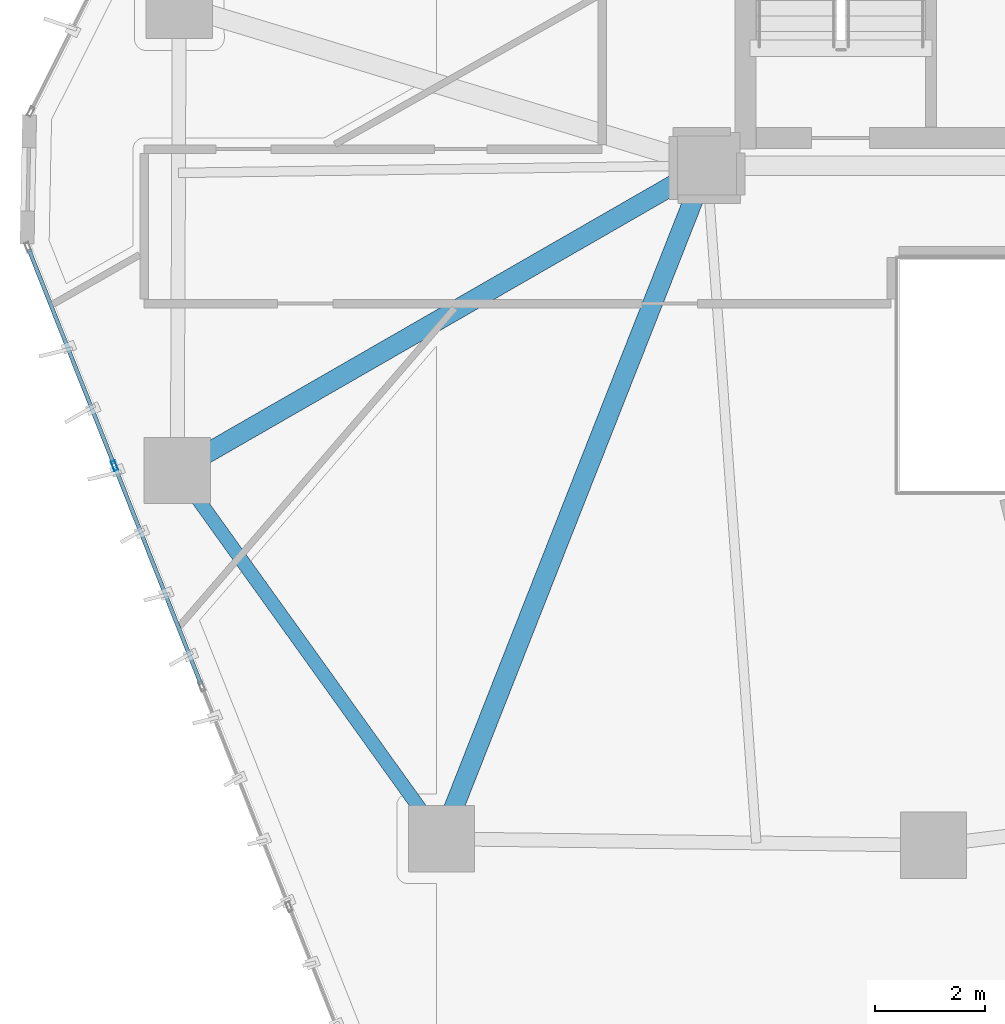
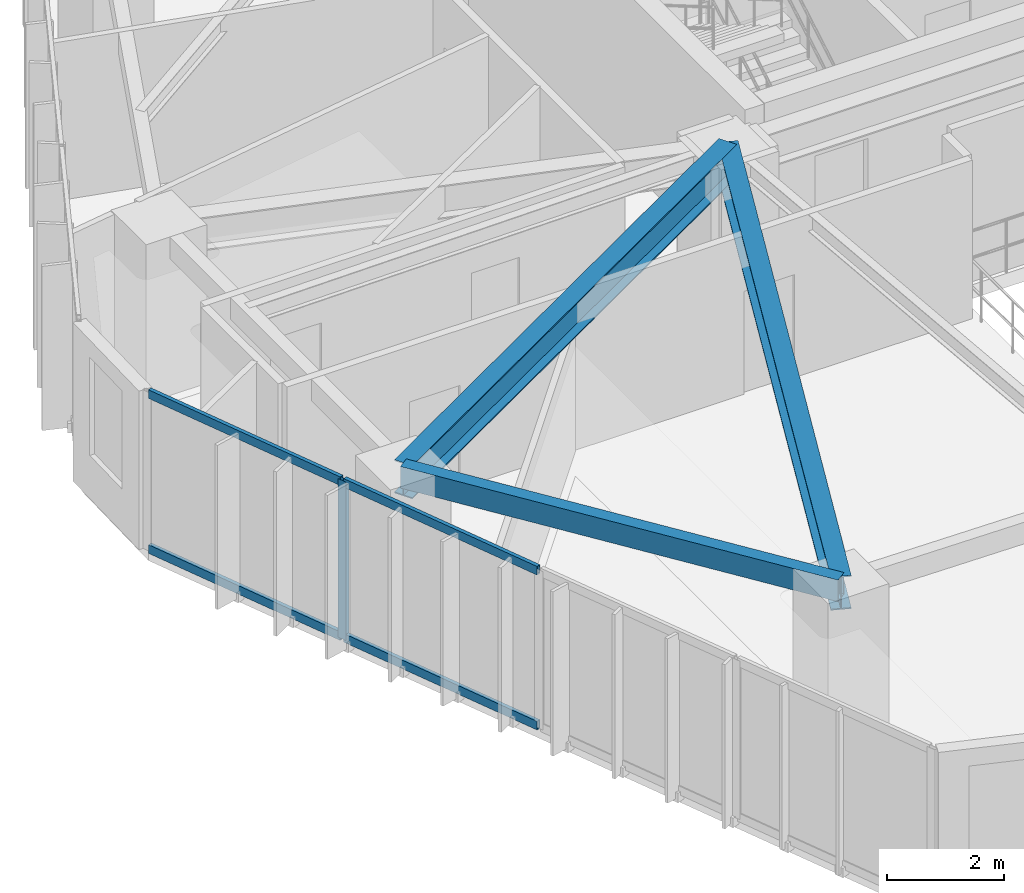
# One storey, part 3 of 21: 5 members, 3 beams, 1 element without a shape of its own.
"""IFC4 building model written with IfcOpenShell, lengths in metres."""

from ifc_helpers import new_model, si_unit, direction, frame, origin, origin_2d, place, context, subcontext, project, spatial, hollow_rectangle, i_section, extrude, source, transform, mapped, material, layer, layer_set, material_profile, profile_set, type_object, type_shapes, element, aggregate, save


model = new_model("IFC4")

# Units and contexts
model_context = context("Model", 3, precision=1e-05, world=origin(), true_north=direction((0.0, 1.0)))
body_context = subcontext(model_context, "Body", "Model", "MODEL_VIEW")
ifc_project = project(units=[si_unit("LENGTHUNIT", "METRE"), si_unit("AREAUNIT", "SQUARE_METRE"), si_unit("VOLUMEUNIT", "CUBIC_METRE"), si_unit("PLANEANGLEUNIT", "RADIAN"), si_unit("MASSUNIT", "GRAM", prefix="KILO")], contexts=[model_context])

# Site, building, storey
site_placement = place(None, origin())
site = spatial("IfcSite", under=ifc_project, at=site_placement, CompositionType="ELEMENT")
building_placement = place(site_placement, origin())
building = spatial("IfcBuilding", under=site, at=building_placement, Name="Talar Marvaseh", CompositionType="ELEMENT")
storey_placement = place(building_placement, frame((0.0, 0.0, 147.0)))
storey = spatial("IfcBuildingStorey", under=building, at=storey_placement, Name="L38", CompositionType="ELEMENT", Elevation=147.0)

# Beams
ifc_material_1 = material(Name="Steel S355", Category="steel")
ifc_material_profile_1 = material_profile(ifc_material_1, hollow_rectangle(XDim=0.25, YDim=0.449951171875, WallThickness=0.01611328125, at=origin_2d()), Name="RHS450x250x16")
ifc_profile_set_1 = profile_set([ifc_material_profile_1], Name="Steel S355")
beam_type_1 = type_object("IfcBeamType", Name="Zone 2 Perimeter Spandrel Beam RHS450x250x16", PredefinedType="SPANDREL", material=ifc_profile_set_1)
beam_1_placement = place(storey_placement, frame((13.89111328125, 13.299072265625, 3.0849609375), z_axis=(-0.582852871994, 0.812577706812, 0.0), x_axis=(-0.812577706812, -0.582852871994, 0.0)))
element("IfcBeam", 1, at=beam_1_placement, inside=storey, type_object=beam_type_1, Name="L38 Zone 2 Perimeter Spandrel Beam RHS450x250x16", PredefinedType="SPANDREL", context=body_context, shape_type="SweptSolid", body=[
    extrude(hollow_rectangle(XDim=0.25, YDim=0.449951171875, WallThickness=0.01611328125, at=origin_2d()), origin(), (0.0, 0.0, 1.0), 8.21826171875),
])
ifc_material_profile_2 = material_profile(ifc_material_1, i_section(OverallWidth=0.35498046875, OverallDepth=0.695068359375, WebThickness=0.015380859375, FlangeThickness=0.02490234375, at=origin_2d()), Name="W690x217")
ifc_profile_set_2 = profile_set([ifc_material_profile_2], Name="Steel S355")
beam_type_2 = type_object("IfcBeamType", Name="Zone 2 Radial Floor Girder W690x217", PredefinedType="BEAM", material=ifc_profile_set_2)
beam_2_placement = place(storey_placement, frame((13.89111328125, 13.299072265625, 2.96240234375), z_axis=(0.366683712786, 0.930345664136, 0.0), x_axis=(-0.930345664136, 0.366683712786, 0.0)))
element("IfcBeam", 2, at=beam_2_placement, inside=storey, type_object=beam_type_2, Name="L38 Zone 2 Radial Floor Girder W690x217", PredefinedType="BEAM", context=body_context, shape_type="SweptSolid", body=[
    extrude(i_section(OverallWidth=0.35498046875, OverallDepth=0.695068359375, WebThickness=0.015380859375, FlangeThickness=0.02490234375, at=origin_2d()), origin(), (0.0, 0.0, 1.0), 13.114501953125),
])
beam_3_placement = place(storey_placement, frame((9.10107421875, 19.97705078125, 2.96240234375), z_axis=(0.866765990926, 0.498715065919, 0.0), x_axis=(-0.498715065919, 0.866765990926, 0.0)))
element("IfcBeam", 3, at=beam_3_placement, inside=storey, type_object=beam_type_2, Name="L38 Zone 2 Radial Floor Girder W690x217", PredefinedType="BEAM", context=body_context, shape_type="SweptSolid", body=[
    extrude(i_section(OverallWidth=0.35498046875, OverallDepth=0.695068359375, WebThickness=0.015380859375, FlangeThickness=0.02490234375, at=origin_2d()), origin(), (0.0, 0.0, 1.0), 11.074462890625),
])

# Curtain wall, members
ifc_material_2 = material(Name="Architectural Aluminium", Category="aluminium")
ifc_layer = layer(ifc_material_2, 0.199951171875)
ifc_layer_set = layer_set([ifc_layer], Name="Architectural Aluminium")
curtain_wall_type = type_object("IfcCurtainWallType", Name="Unitised Acoustic Library Curtain Wall Z2", PredefinedType="NOTDEFINED", material=ifc_layer_set)
curtain_wall_placement = place(storey_placement, origin())
curtain_wall = element("IfcCurtainWall", 4, at=curtain_wall_placement, inside=storey, type_object=curtain_wall_type, Name="L38 Unitised Acoustic Library Curtain Wall Z2", PredefinedType="NOTDEFINED")
ifc_material_profile_3 = material_profile(ifc_material_2, hollow_rectangle(XDim=0.074951171875, YDim=0.179931640625, WallThickness=0.0048828125, at=origin_2d()), Name="RHS180x75x5")
ifc_profile_set_3 = profile_set([ifc_material_profile_3], Name="Architectural Aluminium")
member_type_1 = type_object("IfcMemberType", Name="Unitised Curtain Wall Standard Mullion RHS180x75x5", PredefinedType="MULLION", material=ifc_profile_set_3)
shared_shape_1 = source(origin(), body_context, "Body", "SweptSolid", [
    extrude(hollow_rectangle(XDim=0.074951171875, YDim=0.179931640625, WallThickness=0.0048828125, at=origin_2d()), origin(), (0.0, 0.0, 1.0), 3.31005859375),
])
type_shapes(member_type_1, [shared_shape_1])
member_1_placement = place(storey_placement, frame((7.964599609375, 20.060791015625, 0.0), z_axis=(0.0, 0.0, 1.0), x_axis=(-0.929802175625, -0.368059661202, 0.0)))
member_1 = element("IfcMember", 5, at=member_1_placement, type_object=member_type_1, Name="CW-Z2 mullion 4", PredefinedType="MULLION", context=body_context, shape_type="MappedRepresentation", body=[
    mapped(shared_shape_1, transform((0.0, 0.0, 0.0), x_axis=(1.0, 0.0, 0.0), y_axis=(0.0, 1.0, 0.0), z_axis=(0.0, 0.0, 1.0), scale=1.0)),
])
ifc_material_profile_4 = material_profile(ifc_material_2, hollow_rectangle(XDim=0.074951171875, YDim=0.179931640625, WallThickness=0.0048828125, at=origin_2d()), Name="RHS180x75x5")
ifc_profile_set_4 = profile_set([ifc_material_profile_4], Name="Architectural Aluminium")
member_type_2 = type_object("IfcMemberType", Name="Unitised Curtain Wall Transom RHS180x75x5", PredefinedType="USERDEFINED", material=ifc_profile_set_4)
shared_shape_2 = source(origin(), body_context, "Body", "SweptSolid", [
    extrude(hollow_rectangle(XDim=0.074951171875, YDim=0.179931640625, WallThickness=0.0048828125, at=origin_2d()), origin(), (0.0, 0.0, 1.0), 4.222900390625),
])
member_2_placement = place(storey_placement, frame((9.53271484375, 16.099365234375, 0.03759765625), z_axis=(-0.368089060067, 0.929790537626, 0.0), x_axis=(-0.929790537626, -0.368089060067, 0.0)))
member_2 = element("IfcMember", 6, at=member_2_placement, type_object=member_type_2, Name="CW-Z2 transom 3.1", ObjectType="TRANSOM", PredefinedType="USERDEFINED", context=body_context, shape_type="MappedRepresentation", body=[
    mapped(shared_shape_2, transform((0.0, 0.0, 0.0), x_axis=(1.0, 0.0, 0.0), y_axis=(0.0, 1.0, 0.0), z_axis=(0.0, 0.0, 1.0), scale=1.0)),
])
member_3_placement = place(storey_placement, frame((9.53271484375, 16.099365234375, 3.2724609375), z_axis=(-0.368089060067, 0.929790537626, 0.0), x_axis=(-0.929790537626, -0.368089060067, 0.0)))
member_3 = element("IfcMember", 7, at=member_3_placement, type_object=member_type_2, Name="CW-Z2 transom 3.2", ObjectType="TRANSOM", PredefinedType="USERDEFINED", context=body_context, shape_type="MappedRepresentation", body=[
    mapped(shared_shape_2, transform((0.0, 0.0, 0.0), x_axis=(1.0, 0.0, 0.0), y_axis=(0.0, 1.0, 0.0), z_axis=(0.0, 0.0, 1.0), scale=1.0)),
])
shared_shape_3 = source(origin(), body_context, "Body", "SweptSolid", [
    extrude(hollow_rectangle(XDim=0.074951171875, YDim=0.179931640625, WallThickness=0.0048828125, at=origin_2d()), origin(), (0.0, 0.0, 1.0), 4.18505859375),
])
type_shapes(member_type_2, [shared_shape_2, shared_shape_3])
member_4_placement = place(storey_placement, frame((7.95068359375, 20.095703125, 0.03759765625), z_axis=(-0.368038994719, 0.92981035613, 0.0), x_axis=(-0.92981035613, -0.368038994719, 0.0)))
member_4 = element("IfcMember", 8, at=member_4_placement, type_object=member_type_2, Name="CW-Z2 transom 4.1", ObjectType="TRANSOM", PredefinedType="USERDEFINED", context=body_context, shape_type="MappedRepresentation", body=[
    mapped(shared_shape_3, transform((0.0, 0.0, 0.0), x_axis=(1.0, 0.0, 0.0), y_axis=(0.0, 1.0, 0.0), z_axis=(0.0, 0.0, 1.0), scale=1.0)),
])
member_5_placement = place(storey_placement, frame((7.95068359375, 20.095703125, 3.2724609375), z_axis=(-0.368038994719, 0.92981035613, 0.0), x_axis=(-0.92981035613, -0.368038994719, 0.0)))
member_5 = element("IfcMember", 9, at=member_5_placement, type_object=member_type_2, Name="CW-Z2 transom 4.2", ObjectType="TRANSOM", PredefinedType="USERDEFINED", context=body_context, shape_type="MappedRepresentation", body=[
    mapped(shared_shape_3, transform((0.0, 0.0, 0.0), x_axis=(1.0, 0.0, 0.0), y_axis=(0.0, 1.0, 0.0), z_axis=(0.0, 0.0, 1.0), scale=1.0)),
])
aggregate(curtain_wall, [member_1, member_2, member_3, member_4, member_5])

save(model, "model.ifc")
